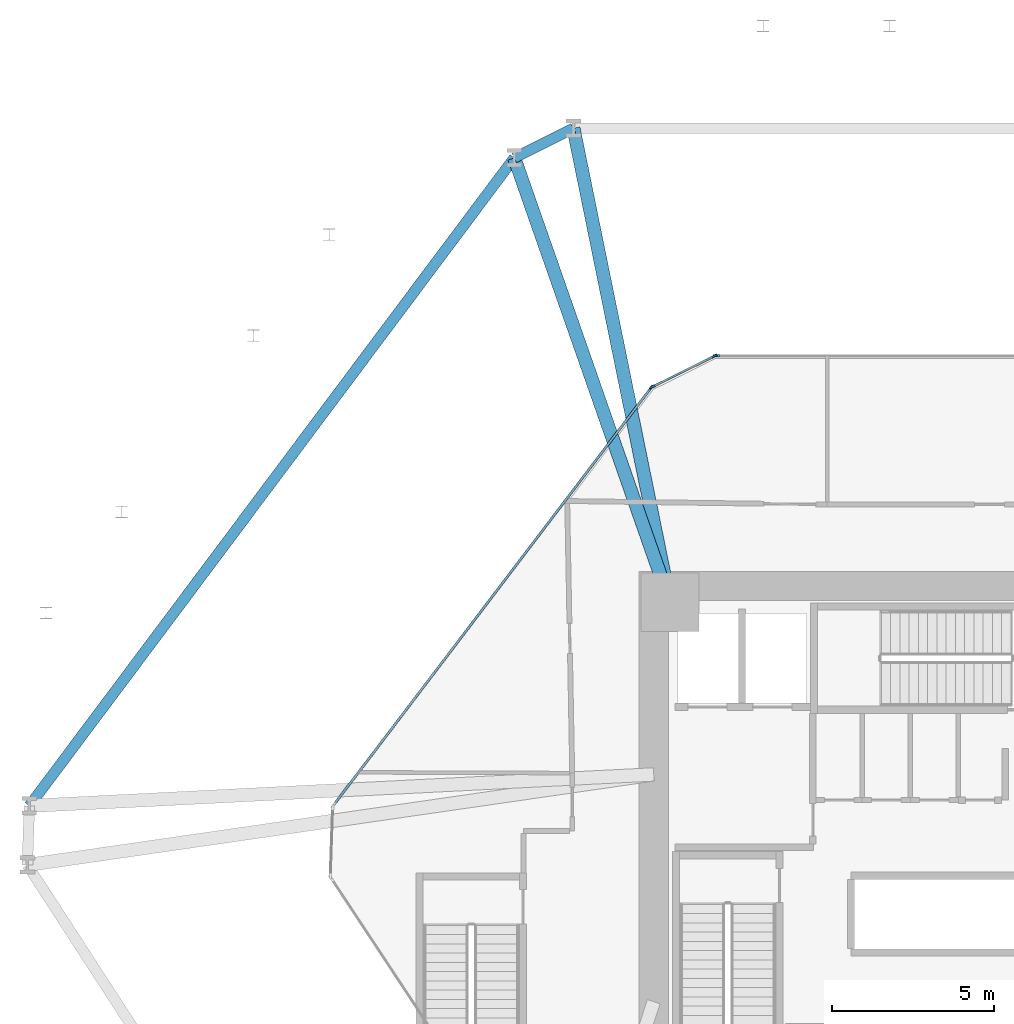
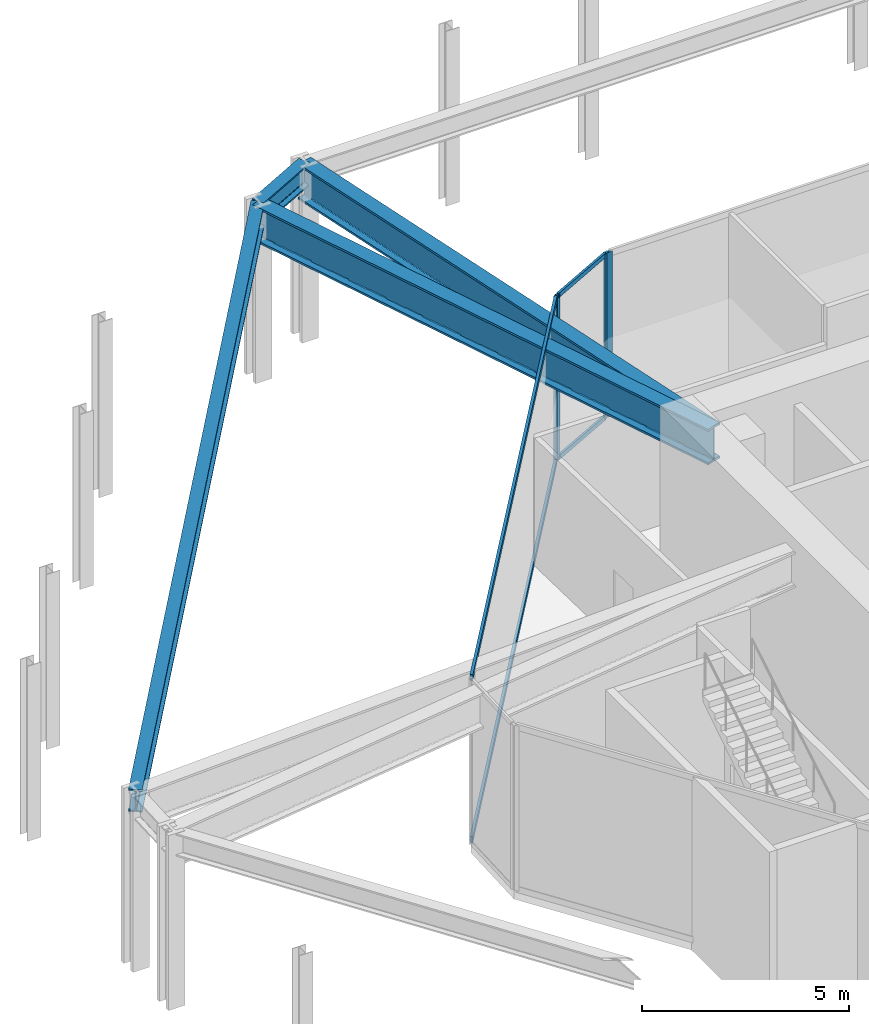
# One storey, part 9 of 16: 8 members, 4 beams, 3 elements without a shape of their own.
"""IFC4 building model written with IfcOpenShell, lengths in metres."""

from ifc_helpers import new_model, si_unit, direction, frame, origin, origin_2d, place, context, subcontext, project, spatial, rectangle, i_section, extrude, source, transform, mapped, material, layer, layer_set, material_profile, profile_set, type_object, type_shapes, element, aggregate, save


model = new_model("IFC4")

# Units and contexts
model_context = context("Model", 3, precision=1e-05, world=origin(), true_north=direction((0.0, 1.0)))
body_context = subcontext(model_context, "Body", "Model", "MODEL_VIEW")
ifc_project = project(units=[si_unit("LENGTHUNIT", "METRE"), si_unit("AREAUNIT", "SQUARE_METRE"), si_unit("VOLUMEUNIT", "CUBIC_METRE"), si_unit("PLANEANGLEUNIT", "RADIAN"), si_unit("MASSUNIT", "GRAM", prefix="KILO")], contexts=[model_context])

# Site, building, storey
site_placement = place(None, origin())
site = spatial("IfcSite", under=ifc_project, at=site_placement, CompositionType="ELEMENT")
building_placement = place(site_placement, origin())
building = spatial("IfcBuilding", under=site, at=building_placement, Name="Durnholm Broadcast Tower", CompositionType="ELEMENT")
storey_placement = place(building_placement, frame((0.0, 0.0, 5.199951171875)))
storey = spatial("IfcBuildingStorey", under=building, at=storey_placement, Name="L01", CompositionType="ELEMENT", Elevation=5.199951171875)

# Beams
ifc_material_1 = material(Name="Steel ASTM A992 Grade 50", Category="steel")
ifc_material_profile_1 = material_profile(ifc_material_1, i_section(OverallWidth=0.3330078125, OverallDepth=0.660888671875, WebThickness=0.0244140625, FlangeThickness=0.0439453125, FilletRadius=0.02783203125, at=origin_2d()), Name="W24X229")
ifc_profile_set_1 = profile_set([ifc_material_profile_1], Name="Steel ASTM A992 Grade 50")
beam_type_1 = type_object("IfcBeamType", Name="STL-SP-W24X229", PredefinedType="SPANDREL", material=ifc_profile_set_1)
shared_shape_1 = source(origin(), body_context, "Body", "SweptSolid", [
    extrude(i_section(OverallWidth=0.3330078125, OverallDepth=0.660888671875, WebThickness=0.0244140625, FlangeThickness=0.0439453125, FilletRadius=0.02783203125, at=origin_2d()), origin(), (0.0, 0.0, 1.0), 24.926513671875),
])
beam_1_placement = place(storey_placement, frame((-29.529296875, 1.530517578125, 4.504638671875), z_axis=(0.599153427318, 0.800634230178, 0.0), x_axis=(-0.800634230178, 0.599153427318, 0.0)))
element("IfcBeam", 1, at=beam_1_placement, inside=storey, type_object=beam_type_1, Name="L01 perimeter spandrel girder 03", PredefinedType="SPANDREL", context=body_context, shape_type="MappedRepresentation", body=[
    mapped(shared_shape_1, transform((0.0, 0.0, 0.0), x_axis=(1.0, 0.0, 0.0), y_axis=(0.0, 1.0, 0.0), z_axis=(0.0, 0.0, 1.0), scale=1.0)),
])
shared_shape_2 = source(origin(), body_context, "Body", "SweptSolid", [
    extrude(i_section(OverallWidth=0.3330078125, OverallDepth=0.660888671875, WebThickness=0.0244140625, FlangeThickness=0.0439453125, FilletRadius=0.02783203125, at=origin_2d()), origin(), (0.0, 0.0, 1.0), 2.0380859375),
])
type_shapes(beam_type_1, [shared_shape_1, shared_shape_2])
beam_2_placement = place(storey_placement, frame((-14.594482421875, 21.487548828125, 4.504638671875), z_axis=(0.894211470078, 0.447644777452, 0.0), x_axis=(-0.447644777452, 0.894211470078, 0.0)))
element("IfcBeam", 2, at=beam_2_placement, inside=storey, type_object=beam_type_1, Name="L01 perimeter spandrel girder 04", PredefinedType="SPANDREL", context=body_context, shape_type="MappedRepresentation", body=[
    mapped(shared_shape_2, transform((0.0, 0.0, 0.0), x_axis=(1.0, 0.0, 0.0), y_axis=(0.0, 1.0, 0.0), z_axis=(0.0, 0.0, 1.0), scale=1.0)),
])
ifc_material_profile_2 = material_profile(ifc_material_1, i_section(OverallWidth=0.412109375, OverallDepth=1.048095703125, WebThickness=0.033935546875, FlangeThickness=0.059814453125, FilletRadius=0.04052734375, at=origin_2d()), Name="W40X431")
ifc_profile_set_2 = profile_set([ifc_material_profile_2], Name="Steel ASTM A992 Grade 50")
beam_type_2 = type_object("IfcBeamType", Name="STL-TG-W40X431", PredefinedType="USERDEFINED", material=ifc_profile_set_2)
shared_shape_3 = source(origin(), body_context, "Body", "SweptSolid", [
    extrude(i_section(OverallWidth=0.412109375, OverallDepth=1.048095703125, WebThickness=0.033935546875, FlangeThickness=0.059814453125, FilletRadius=0.04052734375, at=origin_2d()), origin(), (0.0, 0.0, 1.0), 14.5029296875),
])
beam_3_placement = place(storey_placement, frame((-9.800048828125, 7.800048828125, 4.31103515625), z_axis=(-0.330584364716, 0.943776444824, 0.0), x_axis=(-0.943776444824, -0.330584364716, 0.0)))
element("IfcBeam", 3, at=beam_3_placement, inside=storey, type_object=beam_type_2, Name="L01 radial primary floor girder 04", ObjectType="GIRDER", PredefinedType="USERDEFINED", context=body_context, shape_type="MappedRepresentation", body=[
    mapped(shared_shape_3, transform((0.0, 0.0, 0.0), x_axis=(1.0, 0.0, 0.0), y_axis=(0.0, 1.0, 0.0), z_axis=(0.0, 0.0, 1.0), scale=1.0)),
])
shared_shape_4 = source(origin(), body_context, "Body", "SweptSolid", [
    extrude(i_section(OverallWidth=0.412109375, OverallDepth=1.048095703125, WebThickness=0.033935546875, FlangeThickness=0.059814453125, FilletRadius=0.04052734375, at=origin_2d()), origin(), (0.0, 0.0, 1.0), 14.899169921875),
])
type_shapes(beam_type_2, [shared_shape_3, shared_shape_4])
beam_4_placement = place(storey_placement, frame((-9.800048828125, 7.800048828125, 4.31103515625), z_axis=(-0.19946783416, 0.979904374485, 0.0), x_axis=(-0.979904374485, -0.19946783416, 0.0)))
element("IfcBeam", 4, at=beam_4_placement, inside=storey, type_object=beam_type_2, Name="L01 radial primary floor girder 05", ObjectType="GIRDER", PredefinedType="USERDEFINED", context=body_context, shape_type="MappedRepresentation", body=[
    mapped(shared_shape_4, transform((0.0, 0.0, 0.0), x_axis=(1.0, 0.0, 0.0), y_axis=(0.0, 1.0, 0.0), z_axis=(0.0, 0.0, 1.0), scale=1.0)),
])

# Curtain wall, members
ifc_material_2 = material(Name="Aluminium and Solar Control IGU", Category="aluminium")
ifc_layer_1 = layer(ifc_material_2, 0.1650390625)
ifc_layer_set_1 = layer_set([ifc_layer_1], Name="Aluminium and Solar Control IGU")
curtain_wall_type_1 = type_object("IfcCurtainWallType", Name="CW-SYS-5", PredefinedType="NOTDEFINED", material=ifc_layer_set_1)
curtain_wall_1_placement = place(storey_placement, origin())
curtain_wall_1 = element("IfcCurtainWall", 5, at=curtain_wall_1_placement, inside=storey, type_object=curtain_wall_type_1, Name="L01 curtain wall CW-CORNER CW-L01-CRN-03", PredefinedType="NOTDEFINED")
ifc_material_3 = material(Name="Aluminium 6063-T6", Category="aluminium")
ifc_material_profile_3 = material_profile(ifc_material_3, rectangle(XDim=0.06494140625, YDim=0.1298828125, at=origin_2d()), Name="CWT65X130")
ifc_profile_set_3 = profile_set([ifc_material_profile_3], Name="Aluminium 6063-T6")
member_type_1 = type_object("IfcMemberType", Name="CW-SYS-5-TRN", PredefinedType="USERDEFINED", material=ifc_profile_set_3)
shared_shape_5 = source(origin(), body_context, "Body", "SweptSolid", [
    extrude(rectangle(XDim=0.06494140625, YDim=0.1298828125, at=origin_2d()), origin(), (0.0, 0.0, 1.0), 2.06982421875),
])
type_shapes(member_type_1, [shared_shape_5])
member_1_placement = place(storey_placement, frame((-10.3125, 14.45166015625, 0.032470703125), z_axis=(0.895931826743, 0.444191582348, 0.0), x_axis=(-0.444191582348, 0.895931826743, 0.0)))
member_1 = element("IfcMember", 6, at=member_1_placement, type_object=member_type_1, Name="CW-CORNER transom 1.1", ObjectType="TRANSOM", PredefinedType="USERDEFINED", context=body_context, shape_type="MappedRepresentation", body=[
    mapped(shared_shape_5, transform((0.0, 0.0, 0.0), x_axis=(1.0, 0.0, 0.0), y_axis=(0.0, 1.0, 0.0), z_axis=(0.0, 0.0, 1.0), scale=1.0)),
])
member_2_placement = place(storey_placement, frame((-10.3125, 14.45166015625, 4.817626953125), z_axis=(0.895931826743, 0.444191582348, 0.0), x_axis=(-0.444191582348, 0.895931826743, 0.0)))
member_2 = element("IfcMember", 7, at=member_2_placement, type_object=member_type_1, Name="CW-CORNER transom 1.2", ObjectType="TRANSOM", PredefinedType="USERDEFINED", context=body_context, shape_type="MappedRepresentation", body=[
    mapped(shared_shape_5, transform((0.0, 0.0, 0.0), x_axis=(1.0, 0.0, 0.0), y_axis=(0.0, 1.0, 0.0), z_axis=(0.0, 0.0, 1.0), scale=1.0)),
])
ifc_material_profile_4 = material_profile(ifc_material_3, rectangle(XDim=0.06494140625, YDim=0.1650390625, at=origin_2d()), Name="CWM65X165")
ifc_profile_set_4 = profile_set([ifc_material_profile_4], Name="Aluminium 6063-T6")
member_type_2 = type_object("IfcMemberType", Name="CW-SYS-5-MUL", PredefinedType="MULLION", material=ifc_profile_set_4)
shared_shape_6 = source(origin(), body_context, "Body", "SweptSolid", [
    extrude(rectangle(XDim=0.06494140625, YDim=0.1650390625, at=origin_2d()), origin(), (0.0, 0.0, 1.0), 4.85009765625),
])
type_shapes(member_type_2, [shared_shape_6])
member_3_placement = place(storey_placement, frame((-10.341796875, 14.437255859375, 0.0), z_axis=(0.0, 0.0, 1.0), x_axis=(-0.444138216362, 0.895958282939, 0.0)))
member_3 = element("IfcMember", 8, at=member_3_placement, type_object=member_type_2, Name="CW-CORNER mullion 1", PredefinedType="MULLION", context=body_context, shape_type="MappedRepresentation", body=[
    mapped(shared_shape_6, transform((0.0, 0.0, 0.0), x_axis=(1.0, 0.0, 0.0), y_axis=(0.0, 1.0, 0.0), z_axis=(0.0, 0.0, 1.0), scale=1.0)),
])
member_4_placement = place(storey_placement, frame((-8.4287109375, 15.385498046875, 0.0), z_axis=(0.0, 0.0, 1.0), x_axis=(-0.444138216362, 0.895958282939, 0.0)))
member_4 = element("IfcMember", 9, at=member_4_placement, type_object=member_type_2, Name="CW-CORNER mullion 2", PredefinedType="MULLION", context=body_context, shape_type="MappedRepresentation", body=[
    mapped(shared_shape_6, transform((0.0, 0.0, 0.0), x_axis=(1.0, 0.0, 0.0), y_axis=(0.0, 1.0, 0.0), z_axis=(0.0, 0.0, 1.0), scale=1.0)),
])
aggregate(curtain_wall_1, [member_3, member_4, member_1, member_2])

# Curtain wall, member
ifc_layer_2 = layer(ifc_material_2, 0.219970703125)
ifc_layer_set_2 = layer_set([ifc_layer_2], Name="Aluminium and Solar Control IGU")
curtain_wall_type_2 = type_object("IfcCurtainWallType", Name="CW-SYS-1", PredefinedType="NOTDEFINED", material=ifc_layer_set_2)
curtain_wall_2_placement = place(storey_placement, origin())
curtain_wall_2 = element("IfcCurtainWall", 10, at=curtain_wall_2_placement, inside=storey, type_object=curtain_wall_type_2, Name="L01 curtain wall CW-LOBBY CW-L01-F02", PredefinedType="NOTDEFINED")
ifc_material_profile_5 = material_profile(ifc_material_3, rectangle(XDim=0.074951171875, YDim=0.219970703125, at=origin_2d()), Name="CWM75X220")
ifc_profile_set_5 = profile_set([ifc_material_profile_5], Name="Aluminium 6063-T6")
member_type_3 = type_object("IfcMemberType", Name="CW-SYS-1-MUL", PredefinedType="MULLION", material=ifc_profile_set_5)
shared_shape_7 = source(origin(), body_context, "Body", "SweptSolid", [
    extrude(rectangle(XDim=0.074951171875, YDim=0.219970703125, at=origin_2d()), origin(), (0.0, 0.0, 1.0), 4.85009765625),
])
type_shapes(member_type_3, [shared_shape_7])
member_5_placement = place(storey_placement, frame((-10.3935546875, 14.39306640625, 0.0), z_axis=(0.0, 0.0, 1.0), x_axis=(-0.795838649187, 0.605508748459, 0.0)))
member_5 = element("IfcMember", 11, at=member_5_placement, type_object=member_type_3, Name="CW-LOBBY mullion 2", PredefinedType="MULLION", context=body_context, shape_type="MappedRepresentation", body=[
    mapped(shared_shape_7, transform((0.0, 0.0, 0.0), x_axis=(1.0, 0.0, 0.0), y_axis=(0.0, 1.0, 0.0), z_axis=(0.0, 0.0, 1.0), scale=1.0)),
])

curtain_wall_3_placement = place(storey_placement, origin())
curtain_wall_3 = element("IfcCurtainWall", 12, at=curtain_wall_3_placement, inside=storey, type_object=curtain_wall_type_2, Name="L01 curtain wall CW-LOBBY CW-L01-F04", PredefinedType="NOTDEFINED")
member_6_placement = place(storey_placement, frame((-8.3623046875, 15.39990234375, 0.0), z_axis=(0.0, 0.0, 1.0), x_axis=(0.0, 1.0, 0.0)))
member_6 = element("IfcMember", 13, at=member_6_placement, type_object=member_type_3, Name="CW-LOBBY mullion 1", PredefinedType="MULLION", context=body_context, shape_type="MappedRepresentation", body=[
    mapped(shared_shape_7, transform((0.0, 0.0, 0.0), x_axis=(1.0, 0.0, 0.0), y_axis=(0.0, 1.0, 0.0), z_axis=(0.0, 0.0, 1.0), scale=1.0)),
])
aggregate(curtain_wall_3, [member_6])

# Member
ifc_material_profile_6 = material_profile(ifc_material_3, rectangle(XDim=0.074951171875, YDim=0.179931640625, at=origin_2d()), Name="CWT75X180")
ifc_profile_set_6 = profile_set([ifc_material_profile_6], Name="Aluminium 6063-T6")
member_type_4 = type_object("IfcMemberType", Name="CW-SYS-1-TRN", PredefinedType="USERDEFINED", material=ifc_profile_set_6)
shared_shape_8 = source(origin(), body_context, "Body", "SweptSolid", [
    extrude(rectangle(XDim=0.074951171875, YDim=0.179931640625, at=origin_2d()), origin(), (0.0, 0.0, 1.0), 16.055419921875),
])
type_shapes(member_type_4, [shared_shape_8])
member_7_placement = place(storey_placement, frame((-20.137939453125, 1.585693359375, 0.03759765625), z_axis=(0.605506130187, 0.795840641276, 0.0), x_axis=(-0.795840641276, 0.605506130187, 0.0)))
member_7 = element("IfcMember", 14, at=member_7_placement, type_object=member_type_4, Name="CW-LOBBY transom 1.1", ObjectType="TRANSOM", PredefinedType="USERDEFINED", context=body_context, shape_type="MappedRepresentation", body=[
    mapped(shared_shape_8, transform((0.0, 0.0, 0.0), x_axis=(1.0, 0.0, 0.0), y_axis=(0.0, 1.0, 0.0), z_axis=(0.0, 0.0, 1.0), scale=1.0)),
])

member_8_placement = place(storey_placement, frame((-20.137939453125, 1.585693359375, 4.8125), z_axis=(0.605506130187, 0.795840641276, 0.0), x_axis=(-0.795840641276, 0.605506130187, 0.0)))
member_8 = element("IfcMember", 15, at=member_8_placement, type_object=member_type_4, Name="CW-LOBBY transom 1.2", ObjectType="TRANSOM", PredefinedType="USERDEFINED", context=body_context, shape_type="MappedRepresentation", body=[
    mapped(shared_shape_8, transform((0.0, 0.0, 0.0), x_axis=(1.0, 0.0, 0.0), y_axis=(0.0, 1.0, 0.0), z_axis=(0.0, 0.0, 1.0), scale=1.0)),
])

aggregate(curtain_wall_2, [member_5, member_7, member_8])

save(model, "model.ifc")
